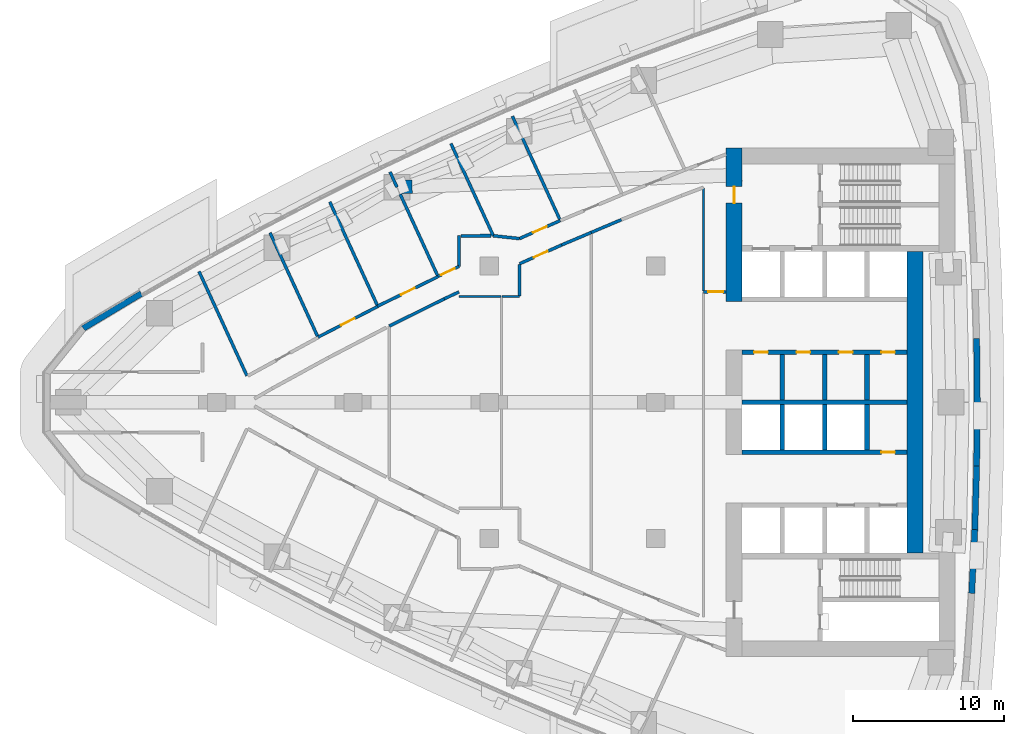
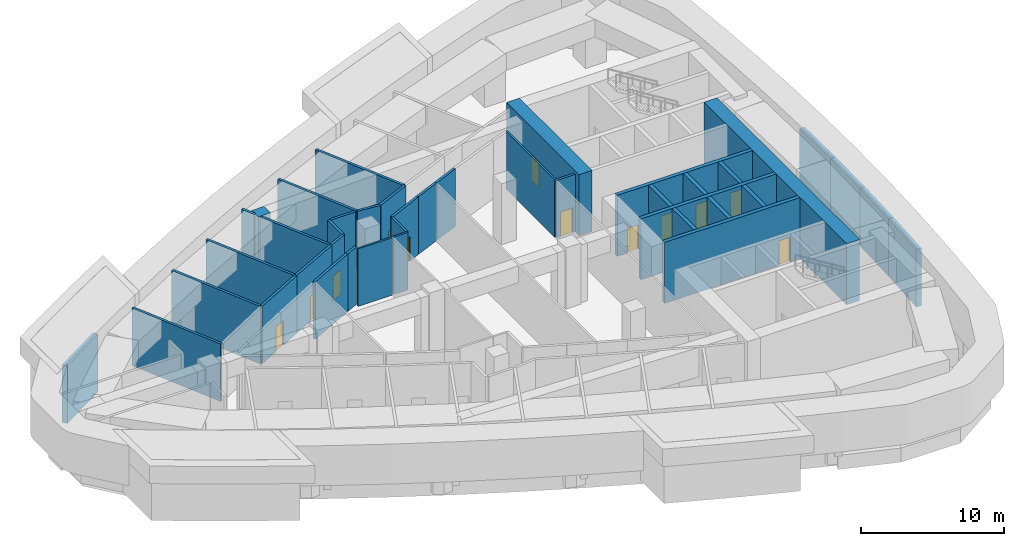
# One storey, part 12 of 19: 41 walls, 12 doors, 12 openings.
"""IFC4 building model written with IfcOpenShell, lengths in metres."""

from ifc_helpers import new_model, si_unit, direction, frame, frame_2d, origin, place, context, subcontext, project, spatial, polyline, rectangle, outline, extrude, material, layer, layer_set, type_object, element, fill, save


model = new_model("IFC4")

# Units and contexts
model_context = context("Model", 3, precision=1e-05, world=origin(), true_north=direction((0.0, 1.0)))
body_context = subcontext(model_context, "Body", "Model", "MODEL_VIEW")
ifc_project = project(units=[si_unit("LENGTHUNIT", "METRE"), si_unit("AREAUNIT", "SQUARE_METRE"), si_unit("VOLUMEUNIT", "CUBIC_METRE"), si_unit("PLANEANGLEUNIT", "RADIAN"), si_unit("MASSUNIT", "GRAM", prefix="KILO")], contexts=[model_context])

# Site, building, storey
site_placement = place(None, origin())
site = spatial("IfcSite", under=ifc_project, at=site_placement, CompositionType="ELEMENT")
building_placement = place(site_placement, origin())
building = spatial("IfcBuilding", under=site, at=building_placement, Name="Ostrand Prow Hotel Tower", CompositionType="ELEMENT")
storey_placement = place(building_placement, frame((0.0, 0.0, 120.39990234375)))
storey = spatial("IfcBuildingStorey", under=building, at=storey_placement, Name="L29", CompositionType="ELEMENT", Elevation=120.39990234375)

# Wall, opening, door
ifc_material_1 = material(Name="Concrete C80/95", Category="concrete")
ifc_layer_1 = layer(ifc_material_1, 1.050048828125)
ifc_layer_set_1 = layer_set([ifc_layer_1], Name="Concrete C80/95")
wall_type_1 = type_object("IfcWallType", Name="Core wall 1050 C80/95", PredefinedType="SHEAR", material=ifc_layer_set_1)
wall_1_placement = place(storey_placement, frame((50.175048828125, 6.64990234375, 0.0), z_axis=(0.0, 0.0, 1.0), x_axis=(0.0, 1.0, 0.0)))
wall_1 = element("IfcWall", 1, at=wall_1_placement, inside=storey, type_object=wall_type_1, Name="Core wall CW-W-N", PredefinedType="SHEAR", context=body_context, shape_type="SweptSolid", body=[
    extrude(rectangle(XDim=10.150146484375, YDim=1.050048828125, at=frame_2d((5.0751953125, 0.0))), origin(), (0.0, 0.0, 1.0), 5.2001953125),
])
opening_1_placement = place(wall_1_placement, frame((6.5, 0.0, 0.0)))
opening_1 = element("IfcOpeningElement", 2, at=opening_1_placement, cuts=wall_1, Name="Opening FD1", PredefinedType="OPENING", context=body_context, shape_type="SweptSolid", body=[
    extrude(rectangle(XDim=1.10009765625, YDim=2.10009765625, at=frame_2d((0.550048828125, 1.050048828125))), frame((0.0, 0.534912109375, 0.0), z_axis=(0.0, -1.0, 0.0), x_axis=(1.0, 0.0, 0.0)), (0.0, 0.0, 1.0), 1.070068359375),
])
ifc_material_2 = material(Name="Steel fire door", Category="steel")
door_type_1 = type_object("IfcDoorType", Name="Fire door 1100 EI120", OperationType="SINGLE_SWING_RIGHT", PredefinedType="DOOR", material=ifc_material_2)
door_1_placement = place(opening_1_placement, origin())
door_1 = element("IfcDoor", 3, at=door_1_placement, inside=storey, type_object=door_type_1, Name="FIRE DOOR", OperationType="SINGLE_SWING_RIGHT", OverallHeight=2.10009765625, OverallWidth=1.10009765625, PredefinedType="DOOR", context=body_context, shape_type="SweptSolid", body=[
    extrude(rectangle(XDim=1.10009765625, YDim=2.10009765625, at=frame_2d((0.550048828125, 1.050048828125))), frame((0.0, 0.02490234375, 0.0), z_axis=(0.0, -1.0, 0.0), x_axis=(1.0, 0.0, 0.0)), (0.0, 0.0, 1.0), 0.050048828125),
])
fill(opening_1, door_1)

# Walls
wall_2_placement = place(storey_placement, frame((62.125, -9.949951171875, 0.0), z_axis=(0.0, 0.0, 1.0), x_axis=(0.0, 1.0, 0.0)))
element("IfcWall", 4, at=wall_2_placement, inside=storey, type_object=wall_type_1, Name="Core wall CW-E-C", PredefinedType="SHEAR", context=body_context, shape_type="SweptSolid", body=[
    extrude(rectangle(XDim=19.89990234375, YDim=1.050048828125, at=frame_2d((9.949951171875, 0.0))), origin(), (0.0, 0.0, 1.0), 5.2001953125),
])
ifc_material_3 = material(Name="Concrete C80/95", Category="concrete")
ifc_layer_2 = layer(ifc_material_3, 0.300048828125)
ifc_layer_set_2 = layer_set([ifc_layer_2], Name="Concrete C80/95")
wall_type_2 = type_object("IfcWallType", Name="Core wall 300 C80/95", PredefinedType="SHEAR", material=ifc_layer_set_2)
wall_3_placement = place(storey_placement, frame((50.699951171875, 0.0, 0.0), z_axis=(0.0, 0.0, 1.0), x_axis=(1.0, 0.0, 0.0)))
element("IfcWall", 5, at=wall_3_placement, inside=storey, type_object=wall_type_2, Name="Core wall PW-C", PredefinedType="SHEAR", context=body_context, shape_type="SweptSolid", body=[
    extrude(rectangle(XDim=10.900146484375, YDim=0.300048828125, at=frame_2d((5.4501953125, 0.0))), origin(), (0.0, 0.0, 1.0), 5.2001953125),
])

# Wall, openings, doors
wall_4_placement = place(storey_placement, frame((50.699951171875, 3.300048828125, 0.0), z_axis=(0.0, 0.0, 1.0), x_axis=(1.0, 0.0, 0.0)))
wall_4 = element("IfcWall", 6, at=wall_4_placement, inside=storey, type_object=wall_type_2, Name="Core wall PW-L1-N", PredefinedType="SHEAR", context=body_context, shape_type="SweptSolid", body=[
    extrude(rectangle(XDim=10.900146484375, YDim=0.300048828125, at=frame_2d((5.4501953125, 0.0))), origin(), (0.0, 0.0, 1.0), 5.2001953125),
])
opening_2_placement = place(wall_4_placement, frame((0.800048828125, 0.0, 0.0)))
opening_2 = element("IfcOpeningElement", 7, at=opening_2_placement, cuts=wall_4, Name="Opening FD2", PredefinedType="OPENING", context=body_context, shape_type="SweptSolid", body=[
    extrude(rectangle(XDim=0.89990234375, YDim=2.10009765625, at=frame_2d((0.449951171875, 1.050048828125))), frame((0.0, 0.159912109375, 0.0), z_axis=(0.0, -1.0, 0.0), x_axis=(1.0, 0.0, 0.0)), (0.0, 0.0, 1.0), 0.320068359375),
])
opening_3_placement = place(wall_4_placement, frame((3.60009765625, 0.0, 0.0)))
opening_3 = element("IfcOpeningElement", 8, at=opening_3_placement, cuts=wall_4, Name="Opening FD2", PredefinedType="OPENING", context=body_context, shape_type="SweptSolid", body=[
    extrude(rectangle(XDim=0.89990234375, YDim=2.10009765625, at=frame_2d((0.449951171875, 1.050048828125))), frame((0.0, 0.159912109375, 0.0), z_axis=(0.0, -1.0, 0.0), x_axis=(1.0, 0.0, 0.0)), (0.0, 0.0, 1.0), 0.320068359375),
])
opening_4_placement = place(wall_4_placement, frame((6.39990234375, 0.0, 0.0)))
opening_4 = element("IfcOpeningElement", 9, at=opening_4_placement, cuts=wall_4, Name="Opening FD2", PredefinedType="OPENING", context=body_context, shape_type="SweptSolid", body=[
    extrude(rectangle(XDim=0.89990234375, YDim=2.10009765625, at=frame_2d((0.449951171875, 1.050048828125))), frame((0.0, 0.159912109375, 0.0), z_axis=(0.0, -1.0, 0.0), x_axis=(1.0, 0.0, 0.0)), (0.0, 0.0, 1.0), 0.320068359375),
])
opening_5_placement = place(wall_4_placement, frame((9.199951171875, 0.0, 0.0)))
opening_5 = element("IfcOpeningElement", 10, at=opening_5_placement, cuts=wall_4, Name="Opening FD2", PredefinedType="OPENING", context=body_context, shape_type="SweptSolid", body=[
    extrude(rectangle(XDim=0.89990234375, YDim=2.10009765625, at=frame_2d((0.449951171875, 1.050048828125))), frame((0.0, 0.159912109375, 0.0), z_axis=(0.0, -1.0, 0.0), x_axis=(1.0, 0.0, 0.0)), (0.0, 0.0, 1.0), 0.320068359375),
])
ifc_material_4 = material(Name="Steel fire door", Category="steel")
door_type_2 = type_object("IfcDoorType", Name="Fire door 900 EI120", OperationType="SINGLE_SWING_LEFT", PredefinedType="DOOR", material=ifc_material_4)
door_2_placement = place(opening_2_placement, origin())
door_2 = element("IfcDoor", 11, at=door_2_placement, inside=storey, type_object=door_type_2, Name="DOOR", OperationType="SINGLE_SWING_LEFT", OverallHeight=2.10009765625, OverallWidth=0.89990234375, PredefinedType="DOOR", context=body_context, shape_type="SweptSolid", body=[
    extrude(rectangle(XDim=0.89990234375, YDim=2.10009765625, at=frame_2d((0.449951171875, 1.050048828125))), frame((0.0, 0.02490234375, 0.0), z_axis=(0.0, -1.0, 0.0), x_axis=(1.0, 0.0, 0.0)), (0.0, 0.0, 1.0), 0.050048828125),
])
fill(opening_2, door_2)
door_3_placement = place(opening_3_placement, origin())
door_3 = element("IfcDoor", 12, at=door_3_placement, inside=storey, type_object=door_type_2, Name="DOOR", OperationType="SINGLE_SWING_LEFT", OverallHeight=2.10009765625, OverallWidth=0.89990234375, PredefinedType="DOOR", context=body_context, shape_type="SweptSolid", body=[
    extrude(rectangle(XDim=0.89990234375, YDim=2.10009765625, at=frame_2d((0.449951171875, 1.050048828125))), frame((0.0, 0.02490234375, 0.0), z_axis=(0.0, -1.0, 0.0), x_axis=(1.0, 0.0, 0.0)), (0.0, 0.0, 1.0), 0.050048828125),
])
fill(opening_3, door_3)
door_4_placement = place(opening_4_placement, origin())
door_4 = element("IfcDoor", 13, at=door_4_placement, inside=storey, type_object=door_type_2, Name="DOOR", OperationType="SINGLE_SWING_LEFT", OverallHeight=2.10009765625, OverallWidth=0.89990234375, PredefinedType="DOOR", context=body_context, shape_type="SweptSolid", body=[
    extrude(rectangle(XDim=0.89990234375, YDim=2.10009765625, at=frame_2d((0.449951171875, 1.050048828125))), frame((0.0, 0.02490234375, 0.0), z_axis=(0.0, -1.0, 0.0), x_axis=(1.0, 0.0, 0.0)), (0.0, 0.0, 1.0), 0.050048828125),
])
fill(opening_4, door_4)
door_5_placement = place(opening_5_placement, origin())
door_5 = element("IfcDoor", 14, at=door_5_placement, inside=storey, type_object=door_type_2, Name="DOOR", OperationType="SINGLE_SWING_LEFT", OverallHeight=2.10009765625, OverallWidth=0.89990234375, PredefinedType="DOOR", context=body_context, shape_type="SweptSolid", body=[
    extrude(rectangle(XDim=0.89990234375, YDim=2.10009765625, at=frame_2d((0.449951171875, 1.050048828125))), frame((0.0, 0.02490234375, 0.0), z_axis=(0.0, -1.0, 0.0), x_axis=(1.0, 0.0, 0.0)), (0.0, 0.0, 1.0), 0.050048828125),
])
fill(opening_5, door_5)

# Walls
for number, where, z_axis, x_axis, name in (
    (15, (53.35009765625, 0.14990234375, 0.0), (0.0, 0.0, 1.0), (0.0, 1.0, 0.0), "Core wall PW-R1-NB"),
    (16, (56.14990234375, 0.14990234375, 0.0), (0.0, 0.0, 1.0), (0.0, 1.0, 0.0), "Core wall PW-R2-NB"),
    (17, (58.949951171875, 0.14990234375, 0.0), (0.0, 0.0, 1.0), (0.0, 1.0, 0.0), "Core wall PW-R3-NB"),
):
    element("IfcWall", number, at=place(storey_placement, frame(where, z_axis=z_axis, x_axis=x_axis)), inside=storey, type_object=wall_type_2, Name=name, PredefinedType="SHEAR", context=body_context, shape_type="SweptSolid", body=[
        extrude(rectangle(XDim=3.0, YDim=0.300048828125, at=frame_2d((1.5, 0.0))), origin(), (0.0, 0.0, 1.0), 5.2001953125),
    ])

# Wall, opening, door
wall_5_placement = place(storey_placement, frame((50.699951171875, -3.300048828125, 0.0), z_axis=(0.0, 0.0, 1.0), x_axis=(1.0, 0.0, 0.0)))
wall_5 = element("IfcWall", 18, at=wall_5_placement, inside=storey, type_object=wall_type_2, Name="Core wall PW-L1-S", PredefinedType="SHEAR", context=body_context, shape_type="SweptSolid", body=[
    extrude(rectangle(XDim=10.900146484375, YDim=0.300048828125, at=frame_2d((5.4501953125, 0.0))), origin(), (0.0, 0.0, 1.0), 5.2001953125),
])
opening_6_placement = place(wall_5_placement, frame((9.199951171875, 0.0, 0.0)))
opening_6 = element("IfcOpeningElement", 19, at=opening_6_placement, cuts=wall_5, Name="Opening FD2", PredefinedType="OPENING", context=body_context, shape_type="SweptSolid", body=[
    extrude(rectangle(XDim=0.89990234375, YDim=2.10009765625, at=frame_2d((0.449951171875, 1.050048828125))), frame((0.0, 0.159912109375, 0.0), z_axis=(0.0, -1.0, 0.0), x_axis=(1.0, 0.0, 0.0)), (0.0, 0.0, 1.0), 0.320068359375),
])
door_6_placement = place(opening_6_placement, origin())
door_6 = element("IfcDoor", 20, at=door_6_placement, inside=storey, type_object=door_type_2, Name="DOOR", OperationType="SINGLE_SWING_LEFT", OverallHeight=2.10009765625, OverallWidth=0.89990234375, PredefinedType="DOOR", context=body_context, shape_type="SweptSolid", body=[
    extrude(rectangle(XDim=0.89990234375, YDim=2.10009765625, at=frame_2d((0.449951171875, 1.050048828125))), frame((0.0, 0.02490234375, 0.0), z_axis=(0.0, -1.0, 0.0), x_axis=(1.0, 0.0, 0.0)), (0.0, 0.0, 1.0), 0.050048828125),
])
fill(opening_6, door_6)

# Walls
for number, where, z_axis, x_axis, name in (
    (21, (53.35009765625, -3.14990234375, 0.0), (0.0, 0.0, 1.0), (0.0, 1.0, 0.0), "Core wall PW-R1-SB"),
    (22, (56.14990234375, -3.14990234375, 0.0), (0.0, 0.0, 1.0), (0.0, 1.0, 0.0), "Core wall PW-R2-SB"),
    (23, (58.949951171875, -3.14990234375, 0.0), (0.0, 0.0, 1.0), (0.0, 1.0, 0.0), "Core wall PW-R3-SB"),
):
    element("IfcWall", number, at=place(storey_placement, frame(where, z_axis=z_axis, x_axis=x_axis)), inside=storey, type_object=wall_type_2, Name=name, PredefinedType="SHEAR", context=body_context, shape_type="SweptSolid", body=[
        extrude(rectangle(XDim=3.0, YDim=0.300048828125, at=frame_2d((1.5, 0.0))), origin(), (0.0, 0.0, 1.0), 5.2001953125),
    ])
ifc_material_5 = material(Name="Concrete C80/95", Category="concrete")
ifc_layer_3 = layer(ifc_material_5, 0.89990234375)
ifc_layer_set_3 = layer_set([ifc_layer_3], Name="Concrete C80/95")
wall_type_3 = type_object("IfcWallType", Name="Outrigger wall 900 C80/95", PredefinedType="SHEAR", material=ifc_layer_set_3)
wall_6_placement = place(storey_placement, frame((28.906494140625, 14.247802734375, 0.0), z_axis=(0.0, 0.0, 1.0), x_axis=(-0.999364718751, -0.035639288944, 0.0)))
element("IfcWall", 24, at=wall_6_placement, inside=storey, type_object=wall_type_3, Name="Outrigger wall DN2", PredefinedType="SHEAR", context=body_context, shape_type="SweptSolid", body=[
    extrude(rectangle(XDim=1.000244140625, YDim=0.89990234375, at=frame_2d((0.5, 0.0))), origin(), (0.0, 0.0, 1.0), 4.900146484375),
])
ifc_material_6 = material(Name="Plasterboard partition")
ifc_layer_4 = layer(ifc_material_6, 0.14990234375)
ifc_layer_set_4 = layer_set([ifc_layer_4], Name="Plasterboard partition")
wall_type_4 = type_object("IfcWallType", Name="Partition 150 room partition", PredefinedType="PARTITIONING", material=ifc_layer_set_4)
wall_7_placement = place(storey_placement, frame((31.99951171875, 6.9951171875, 0.0), z_axis=(0.0, 0.0, 1.0), x_axis=(1.0, 0.0, 0.0)))
element("IfcWall", 25, at=wall_7_placement, inside=storey, type_object=wall_type_4, Name="ROOM PARTITION", PredefinedType="PARTITIONING", context=body_context, shape_type="SweptSolid", body=[
    extrude(rectangle(XDim=2.76806640625, YDim=0.14990234375, at=frame_2d((1.384033203125, 0.0))), origin(), (0.0, 0.0, 1.0), 4.900146484375),
])
wall_8_placement = place(storey_placement, frame((34.847412109375, 6.9951171875, 0.0), z_axis=(0.0, 0.0, 1.0), x_axis=(0.999997773641, 0.002110145123, 0.0)))
element("IfcWall", 26, at=wall_8_placement, inside=storey, type_object=wall_type_4, Name="ROOM PARTITION", PredefinedType="PARTITIONING", context=body_context, shape_type="SweptSolid", body=[
    extrude(rectangle(XDim=1.156982421875, YDim=0.14990234375, at=frame_2d((0.57861328125, 0.0))), origin(), (0.0, 0.0, 1.0), 4.900146484375),
])
wall_9_placement = place(storey_placement, frame((48.1494140625, 14.151123046875, 0.0), z_axis=(0.0, 0.0, 1.0), x_axis=(0.0, -1.0, 0.0)))
element("IfcWall", 27, at=wall_9_placement, inside=storey, type_object=wall_type_4, Name="ROOM PARTITION", PredefinedType="PARTITIONING", context=body_context, shape_type="SweptSolid", body=[
    extrude(rectangle(XDim=6.81103515625, YDim=0.14990234375, at=frame_2d((3.405517578125, 0.0))), origin(), (0.0, 0.0, 1.0), 4.900146484375),
])

# Wall, opening, door
ifc_material_7 = material(Name="Plasterboard partition")
ifc_layer_5 = layer(ifc_material_7, 0.199951171875)
ifc_layer_set_5 = layer_set([ifc_layer_5], Name="Plasterboard partition")
wall_type_5 = type_object("IfcWallType", Name="Partition 200 corridor wall", PredefinedType="PARTITIONING", material=ifc_layer_set_5)
wall_10_placement = place(storey_placement, frame((22.6904296875, 4.302490234375, 0.0), z_axis=(0.0, 0.0, 1.0), x_axis=(0.889236075961, 0.457448577667, 0.0)))
wall_10 = element("IfcWall", 28, at=wall_10_placement, inside=storey, type_object=wall_type_5, Name="CORRIDOR WALL", PredefinedType="PARTITIONING", context=body_context, shape_type="SweptSolid", body=[
    extrude(rectangle(XDim=4.443115234375, YDim=0.199951171875, at=frame_2d((2.2216796875, 0.0))), origin(), (0.0, 0.0, 1.0), 4.900146484375),
])
opening_7_placement = place(wall_10_placement, frame((1.721435546875, 0.0, 0.0)))
opening_7 = element("IfcOpeningElement", 29, at=opening_7_placement, cuts=wall_10, Name="Opening D1R", PredefinedType="OPENING", context=body_context, shape_type="SweptSolid", body=[
    extrude(rectangle(XDim=1.0, YDim=2.10009765625, at=frame_2d((0.5, 1.050048828125))), frame((0.0, 0.10986328125, 0.0), z_axis=(0.0, -1.0, 0.0), x_axis=(1.0, 0.0, 0.0)), (0.0, 0.0, 1.0), 0.219970703125),
])
ifc_material_8 = material(Name="Timber door leaf", Category="wood")
door_type_3 = type_object("IfcDoorType", Name="Guest room door 1000 right", OperationType="SINGLE_SWING_RIGHT", PredefinedType="DOOR", material=ifc_material_8)
door_7_placement = place(opening_7_placement, origin())
door_7 = element("IfcDoor", 30, at=door_7_placement, inside=storey, type_object=door_type_3, Name="DOOR", OperationType="SINGLE_SWING_RIGHT", OverallHeight=2.10009765625, OverallWidth=1.0, PredefinedType="DOOR", context=body_context, shape_type="SweptSolid", body=[
    extrude(rectangle(XDim=1.0, YDim=2.10009765625, at=frame_2d((0.5, 1.050048828125))), frame((0.0, 0.02490234375, 0.0), z_axis=(0.0, -1.0, 0.0), x_axis=(1.0, 0.0, 0.0)), (0.0, 0.0, 1.0), 0.050048828125),
])
fill(opening_7, door_7)

wall_11_placement = place(storey_placement, frame((26.6328125, 6.35302734375, 0.0), z_axis=(0.0, 0.0, 1.0), x_axis=(0.898502457097, 0.438968489291, 0.0)))
wall_11 = element("IfcWall", 31, at=wall_11_placement, inside=storey, type_object=wall_type_5, Name="CORRIDOR WALL", PredefinedType="PARTITIONING", context=body_context, shape_type="SweptSolid", body=[
    extrude(rectangle(XDim=4.43994140625, YDim=0.199951171875, at=frame_2d((2.219970703125, 0.0))), origin(), (0.0, 0.0, 1.0), 4.900146484375),
])
opening_8_placement = place(wall_11_placement, frame((1.719970703125, 0.0, 0.0)))
opening_8 = element("IfcOpeningElement", 32, at=opening_8_placement, cuts=wall_11, Name="Opening D1", PredefinedType="OPENING", context=body_context, shape_type="SweptSolid", body=[
    extrude(rectangle(XDim=1.0, YDim=2.10009765625, at=frame_2d((0.5, 1.050048828125))), frame((0.0, 0.10986328125, 0.0), z_axis=(0.0, -1.0, 0.0), x_axis=(1.0, 0.0, 0.0)), (0.0, 0.0, 1.0), 0.219970703125),
])
ifc_material_9 = material(Name="Timber door leaf", Category="wood")
door_type_4 = type_object("IfcDoorType", Name="Guest room door 1000", OperationType="SINGLE_SWING_LEFT", PredefinedType="DOOR", material=ifc_material_9)
door_8_placement = place(opening_8_placement, origin())
door_8 = element("IfcDoor", 33, at=door_8_placement, inside=storey, type_object=door_type_4, Name="DOOR", OperationType="SINGLE_SWING_LEFT", OverallHeight=2.10009765625, OverallWidth=1.0, PredefinedType="DOOR", context=body_context, shape_type="SweptSolid", body=[
    extrude(rectangle(XDim=1.0, YDim=2.10009765625, at=frame_2d((0.5, 1.050048828125))), frame((0.0, 0.02490234375, 0.0), z_axis=(0.0, -1.0, 0.0), x_axis=(1.0, 0.0, 0.0)), (0.0, 0.0, 1.0), 0.050048828125),
])
fill(opening_8, door_8)

wall_12_placement = place(storey_placement, frame((32.0, 8.972900390625, 0.0), z_axis=(0.0, 0.0, 1.0), x_axis=(-0.904695891996, -0.42605791039, 0.0)))
wall_12 = element("IfcWall", 34, at=wall_12_placement, inside=storey, type_object=wall_type_5, Name="CORRIDOR WALL", PredefinedType="PARTITIONING", context=body_context, shape_type="SweptSolid", body=[
    extrude(rectangle(XDim=1.5322265625, YDim=0.199951171875, at=frame_2d((0.76611328125, 0.0))), origin(), (0.0, 0.0, 1.0), 4.900146484375),
])
opening_9_placement = place(wall_12_placement, frame((0.300048828125, 0.0, 0.0)))
opening_9 = element("IfcOpeningElement", 35, at=opening_9_placement, cuts=wall_12, Name="Opening D1R", PredefinedType="OPENING", context=body_context, shape_type="SweptSolid", body=[
    extrude(rectangle(XDim=1.0, YDim=2.10009765625, at=frame_2d((0.5, 1.050048828125))), frame((0.0, 0.10986328125, 0.0), z_axis=(0.0, -1.0, 0.0), x_axis=(1.0, 0.0, 0.0)), (0.0, 0.0, 1.0), 0.219970703125),
])
door_9_placement = place(opening_9_placement, origin())
door_9 = element("IfcDoor", 36, at=door_9_placement, inside=storey, type_object=door_type_3, Name="DOOR", OperationType="SINGLE_SWING_RIGHT", OverallHeight=2.10009765625, OverallWidth=1.0, PredefinedType="DOOR", context=body_context, shape_type="SweptSolid", body=[
    extrude(rectangle(XDim=1.0, YDim=2.10009765625, at=frame_2d((0.5, 1.050048828125))), frame((0.0, 0.02490234375, 0.0), z_axis=(0.0, -1.0, 0.0), x_axis=(1.0, 0.0, 0.0)), (0.0, 0.0, 1.0), 0.050048828125),
])
fill(opening_9, door_9)

wall_13_placement = place(storey_placement, frame((38.696044921875, 12.0068359375, 0.0), z_axis=(0.0, 0.0, 1.0), x_axis=(-0.914578343518, -0.404408770389, 0.0)))
wall_13 = element("IfcWall", 37, at=wall_13_placement, inside=storey, type_object=wall_type_5, Name="CORRIDOR WALL", PredefinedType="PARTITIONING", context=body_context, shape_type="SweptSolid", body=[
    extrude(rectangle(XDim=2.94775390625, YDim=0.199951171875, at=frame_2d((1.473876953125, 0.0))), origin(), (0.0, 0.0, 1.0), 4.900146484375),
])
opening_10_placement = place(wall_13_placement, frame((0.97412109375, 0.0, 0.0)))
opening_10 = element("IfcOpeningElement", 38, at=opening_10_placement, cuts=wall_13, Name="Opening D1", PredefinedType="OPENING", context=body_context, shape_type="SweptSolid", body=[
    extrude(rectangle(XDim=1.0, YDim=2.10009765625, at=frame_2d((0.5, 1.050048828125))), frame((0.0, 0.10986328125, 0.0), z_axis=(0.0, -1.0, 0.0), x_axis=(1.0, 0.0, 0.0)), (0.0, 0.0, 1.0), 0.219970703125),
])
door_10_placement = place(opening_10_placement, origin())
door_10 = element("IfcDoor", 39, at=door_10_placement, inside=storey, type_object=door_type_4, Name="DOOR", OperationType="SINGLE_SWING_LEFT", OverallHeight=2.10009765625, OverallWidth=1.0, PredefinedType="DOOR", context=body_context, shape_type="SweptSolid", body=[
    extrude(rectangle(XDim=1.0, YDim=2.10009765625, at=frame_2d((0.5, 1.050048828125))), frame((0.0, 0.02490234375, 0.0), z_axis=(0.0, -1.0, 0.0), x_axis=(1.0, 0.0, 0.0)), (0.0, 0.0, 1.0), 0.050048828125),
])
fill(opening_10, door_10)

# Walls
wall_14_placement = place(storey_placement, frame((27.39501953125, 5.0341796875, 0.0), z_axis=(0.0, 0.0, 1.0), x_axis=(0.895964557897, 0.444125557688, 0.0)))
element("IfcWall", 40, at=wall_14_placement, inside=storey, type_object=wall_type_5, Name="CORRIDOR WALL", PredefinedType="PARTITIONING", context=body_context, shape_type="SweptSolid", body=[
    extrude(rectangle(XDim=4.05126953125, YDim=0.199951171875, at=frame_2d((2.025634765625, 0.0))), origin(), (0.0, 0.0, 1.0), 4.900146484375),
])
wall_15_placement = place(storey_placement, frame((31.02490234375, 6.83349609375, 0.0), z_axis=(0.0, 0.0, 1.0), x_axis=(0.904690325494, 0.426069730159, 0.0)))
element("IfcWall", 41, at=wall_15_placement, inside=storey, type_object=wall_type_5, Name="CORRIDOR WALL", PredefinedType="PARTITIONING", context=body_context, shape_type="SweptSolid", body=[
    extrude(rectangle(XDim=1.077880859375, YDim=0.199951171875, at=frame_2d((0.5390625, 0.0))), origin(), (0.0, 0.0, 1.0), 4.900146484375),
])

# Wall, opening, door
wall_16_placement = place(storey_placement, frame((36.0, 9.14990234375, 0.0), z_axis=(0.0, 0.0, 1.0), x_axis=(0.913029587861, 0.407893333716, 0.0)))
wall_16 = element("IfcWall", 42, at=wall_16_placement, inside=storey, type_object=wall_type_5, Name="CORRIDOR WALL", PredefinedType="PARTITIONING", context=body_context, shape_type="SweptSolid", body=[
    extrude(rectangle(XDim=3.057861328125, YDim=0.199951171875, at=frame_2d((1.52880859375, 0.0))), origin(), (0.0, 0.0, 1.0), 4.900146484375),
])
opening_11_placement = place(wall_16_placement, frame((1.029052734375, 0.0, 0.0)))
opening_11 = element("IfcOpeningElement", 43, at=opening_11_placement, cuts=wall_16, Name="Opening D1R", PredefinedType="OPENING", context=body_context, shape_type="SweptSolid", body=[
    extrude(rectangle(XDim=1.0, YDim=2.10009765625, at=frame_2d((0.5, 1.050048828125))), frame((0.0, 0.10986328125, 0.0), z_axis=(0.0, -1.0, 0.0), x_axis=(1.0, 0.0, 0.0)), (0.0, 0.0, 1.0), 0.219970703125),
])
door_11_placement = place(opening_11_placement, origin())
door_11 = element("IfcDoor", 44, at=door_11_placement, inside=storey, type_object=door_type_3, Name="DOOR", OperationType="SINGLE_SWING_RIGHT", OverallHeight=2.10009765625, OverallWidth=1.0, PredefinedType="DOOR", context=body_context, shape_type="SweptSolid", body=[
    extrude(rectangle(XDim=1.0, YDim=2.10009765625, at=frame_2d((0.5, 1.050048828125))), frame((0.0, 0.02490234375, 0.0), z_axis=(0.0, -1.0, 0.0), x_axis=(1.0, 0.0, 0.0)), (0.0, 0.0, 1.0), 0.050048828125),
])
fill(opening_11, door_11)

# Walls
wall_17_placement = place(storey_placement, frame((38.7919921875, 10.397216796875, 0.0), z_axis=(0.0, 0.0, 1.0), x_axis=(0.921070908478, 0.389394891538, 0.0)))
element("IfcWall", 45, at=wall_17_placement, inside=storey, type_object=wall_type_5, Name="CORRIDOR WALL", PredefinedType="PARTITIONING", context=body_context, shape_type="SweptSolid", body=[
    extrude(rectangle(XDim=2.1123046875, YDim=0.199951171875, at=frame_2d((1.05615234375, 0.0))), origin(), (0.0, 0.0, 1.0), 4.900146484375),
])
wall_18_placement = place(storey_placement, frame((40.737548828125, 11.2197265625, 0.0), z_axis=(0.0, 0.0, 1.0), x_axis=(0.921004670223, 0.389551533725, 0.0)))
element("IfcWall", 46, at=wall_18_placement, inside=storey, type_object=wall_type_5, Name="CORRIDOR WALL", PredefinedType="PARTITIONING", context=body_context, shape_type="SweptSolid", body=[
    extrude(rectangle(XDim=2.160888671875, YDim=0.199951171875, at=frame_2d((1.08056640625, 0.0))), origin(), (0.0, 0.0, 1.0), 4.900146484375),
])
wall_19_placement = place(storey_placement, frame((36.00439453125, 7.03759765625, 0.0), z_axis=(0.0, 0.0, 1.0), x_axis=(0.000235599004, 0.999999972247, 0.0)))
element("IfcWall", 47, at=wall_19_placement, inside=storey, type_object=wall_type_5, Name="CORRIDOR WALL", PredefinedType="PARTITIONING", context=body_context, shape_type="SweptSolid", body=[
    extrude(rectangle(XDim=2.072509765625, YDim=0.199951171875, at=frame_2d((1.0361328125, 0.0))), origin(), (0.0, 0.0, 1.0), 4.900146484375),
])
wall_20_placement = place(storey_placement, frame((31.996826171875, 11.00390625, 0.0), z_axis=(0.0, 0.0, 1.0), x_axis=(0.001562685915, -0.999998779006, 0.0)))
element("IfcWall", 48, at=wall_20_placement, inside=storey, type_object=wall_type_5, Name="CORRIDOR WALL", PredefinedType="PARTITIONING", context=body_context, shape_type="SweptSolid", body=[
    extrude(rectangle(XDim=2.031005859375, YDim=0.199951171875, at=frame_2d((1.015625, 0.0))), origin(), (0.0, 0.0, 1.0), 4.900146484375),
])
wall_21_placement = place(storey_placement, frame((36.0, 10.814697265625, 0.0), z_axis=(0.0, 0.0, 1.0), x_axis=(-0.99430915392, 0.106533123634, 0.0)))
element("IfcWall", 49, at=wall_21_placement, inside=storey, type_object=wall_type_5, Name="CORRIDOR WALL", PredefinedType="PARTITIONING", context=body_context, shape_type="SweptSolid", body=[
    extrude(rectangle(XDim=1.739501953125, YDim=0.199951171875, at=frame_2d((0.86962890625, 0.0))), origin(), (0.0, 0.0, 1.0), 4.900146484375),
])
ifc_material_10 = material(Name="Plasterboard partition")
ifc_layer_6 = layer(ifc_material_10, 0.199951171875)
ifc_layer_set_6 = layer_set([ifc_layer_6], Name="Plasterboard partition")
wall_type_6 = type_object("IfcWallType", Name="Partition 200 key partition", PredefinedType="PARTITIONING", material=ifc_layer_set_6)
wall_22_placement = place(storey_placement, frame((14.8359375, 8.6376953125, 0.0), z_axis=(0.0, 0.0, 1.0), x_axis=(0.417439791711, -0.908704583622, 0.0)))
element("IfcWall", 50, at=wall_22_placement, inside=storey, type_object=wall_type_6, Name="KEY PARTITION", PredefinedType="PARTITIONING", context=body_context, shape_type="SweptSolid", body=[
    extrude(rectangle(XDim=7.57958984375, YDim=0.199951171875, at=frame_2d((3.789794921875, 0.0))), origin(), (0.0, 0.0, 1.0), 4.900146484375),
])
wall_23_placement = place(storey_placement, frame((22.69873046875, 4.284423828125, 0.0), z_axis=(0.0, 0.0, 1.0), x_axis=(-0.417413534969, 0.908716644959, 0.0)))
element("IfcWall", 51, at=wall_23_placement, inside=storey, type_object=wall_type_6, Name="KEY PARTITION", PredefinedType="PARTITIONING", context=body_context, shape_type="SweptSolid", body=[
    extrude(rectangle(XDim=7.609375, YDim=0.199951171875, at=frame_2d((3.8046875, 0.0))), origin(), (0.0, 0.0, 1.0), 4.900146484375),
])
wall_24_placement = place(storey_placement, frame((26.641357421875, 6.3349609375, 0.0), z_axis=(0.0, 0.0, 1.0), x_axis=(-0.417455028008, 0.908697584233, 0.0)))
element("IfcWall", 52, at=wall_24_placement, inside=storey, type_object=wall_type_6, Name="KEY PARTITION", PredefinedType="PARTITIONING", context=body_context, shape_type="SweptSolid", body=[
    extrude(rectangle(XDim=7.603271484375, YDim=0.199951171875, at=frame_2d((3.8017578125, 0.0))), origin(), (0.0, 0.0, 1.0), 4.900146484375),
])
wall_25_placement = place(storey_placement, frame((30.6220703125, 8.302001953125, 0.0), z_axis=(0.0, 0.0, 1.0), x_axis=(-0.417444024809, 0.908702639014, 0.0)))
element("IfcWall", 53, at=wall_25_placement, inside=storey, type_object=wall_type_6, Name="KEY PARTITION", PredefinedType="PARTITIONING", context=body_context, shape_type="SweptSolid", body=[
    extrude(rectangle(XDim=6.016357421875, YDim=0.199951171875, at=frame_2d((3.00830078125, 0.0))), origin(), (0.0, 0.0, 1.0), 4.900146484375),
])
wall_26_placement = place(storey_placement, frame((27.906982421875, 14.212158203125, 0.0), z_axis=(0.0, 0.0, 1.0), x_axis=(-0.417306356055, 0.908765869295, 0.0)))
element("IfcWall", 54, at=wall_26_placement, inside=storey, type_object=wall_type_6, Name="KEY PARTITION", PredefinedType="PARTITIONING", context=body_context, shape_type="SweptSolid", body=[
    extrude(rectangle(XDim=1.096435546875, YDim=0.199951171875, at=frame_2d((0.54833984375, 0.0))), origin(), (0.0, 0.0, 1.0), 4.900146484375),
])
wall_27_placement = place(storey_placement, frame((34.2705078125, 11.0, 0.0), z_axis=(0.0, 0.0, 1.0), x_axis=(-0.417420546123, 0.908713424394, 0.0)))
element("IfcWall", 55, at=wall_27_placement, inside=storey, type_object=wall_type_6, Name="KEY PARTITION", PredefinedType="PARTITIONING", context=body_context, shape_type="SweptSolid", body=[
    extrude(rectangle(XDim=6.70556640625, YDim=0.199951171875, at=frame_2d((3.352783203125, 0.0))), origin(), (0.0, 0.0, 1.0), 4.900146484375),
])
wall_28_placement = place(storey_placement, frame((38.704345703125, 11.988525390625, 0.0), z_axis=(0.0, 0.0, 1.0), x_axis=(-0.417416334044, 0.908715359215, 0.0)))
element("IfcWall", 56, at=wall_28_placement, inside=storey, type_object=wall_type_6, Name="KEY PARTITION", PredefinedType="PARTITIONING", context=body_context, shape_type="SweptSolid", body=[
    extrude(rectangle(XDim=7.603515625, YDim=0.199951171875, at=frame_2d((3.8017578125, 0.0))), origin(), (0.0, 0.0, 1.0), 4.900146484375),
])
wall_29_placement = place(storey_placement, frame((32.146728515625, 11.000244140625, 0.0), z_axis=(0.0, 0.0, 1.0), x_axis=(0.999999222255, 0.001247192844, 0.0)))
element("IfcWall", 57, at=wall_29_placement, inside=storey, type_object=wall_type_6, Name="KEY PARTITION", PredefinedType="PARTITIONING", context=body_context, shape_type="SweptSolid", body=[
    extrude(rectangle(XDim=1.95751953125, YDim=0.199951171875, at=frame_2d((0.978759765625, 0.0))), origin(), (0.0, 0.0, 1.0), 4.900146484375),
])

# Wall, opening, door
ifc_material_11 = material(Name="Plasterboard partition")
ifc_layer_7 = layer(ifc_material_11, 0.199951171875)
ifc_layer_set_7 = layer_set([ifc_layer_7], Name="Plasterboard partition")
wall_type_7 = type_object("IfcWallType", Name="Partition 200 refuge wall", PredefinedType="PARTITIONING", material=ifc_layer_set_7)
wall_30_placement = place(storey_placement, frame((48.14990234375, 7.300048828125, 0.0), z_axis=(0.0, 0.0, 1.0), x_axis=(1.0, 0.0, 0.0)))
wall_30 = element("IfcWall", 58, at=wall_30_placement, inside=storey, type_object=wall_type_7, Name="REFUGE WALL", PredefinedType="PARTITIONING", context=body_context, shape_type="SweptSolid", body=[
    extrude(rectangle(XDim=1.5, YDim=0.199951171875, at=frame_2d((0.75, 0.0))), origin(), (0.0, 0.0, 1.0), 4.900146484375),
])
opening_12_placement = place(wall_30_placement, frame((0.300048828125, 0.0, 0.0)))
opening_12 = element("IfcOpeningElement", 59, at=opening_12_placement, cuts=wall_30, Name="Opening D1R", PredefinedType="OPENING", context=body_context, shape_type="SweptSolid", body=[
    extrude(rectangle(XDim=1.0, YDim=2.10009765625, at=frame_2d((0.5, 1.050048828125))), frame((0.0, 0.10986328125, 0.0), z_axis=(0.0, -1.0, 0.0), x_axis=(1.0, 0.0, 0.0)), (0.0, 0.0, 1.0), 0.219970703125),
])
door_12_placement = place(opening_12_placement, origin())
door_12 = element("IfcDoor", 60, at=door_12_placement, inside=storey, type_object=door_type_3, Name="DOOR", OperationType="SINGLE_SWING_RIGHT", OverallHeight=2.10009765625, OverallWidth=1.0, PredefinedType="DOOR", context=body_context, shape_type="SweptSolid", body=[
    extrude(rectangle(XDim=1.0, YDim=2.10009765625, at=frame_2d((0.5, 1.050048828125))), frame((0.0, 0.02490234375, 0.0), z_axis=(0.0, -1.0, 0.0), x_axis=(1.0, 0.0, 0.0)), (0.0, 0.0, 1.0), 0.050048828125),
])
fill(opening_12, door_12)

# Walls
ifc_material_12 = material(Name="Precast concrete C40/50", Category="concrete")
ifc_layer_8 = layer(ifc_material_12, 0.39990234375)
ifc_layer_set_8 = layer_set([ifc_layer_8], Name="Precast concrete C40/50")
wall_type_8 = type_object("IfcWallType", Name="Stone-faced precast wall 400 mm", PredefinedType="NOTDEFINED", material=ifc_layer_set_8)
wall_31_placement = place(storey_placement, frame((11.02587890625, 7.18603515625, 0.0), z_axis=(0.0, 0.0, 1.0), x_axis=(-0.857550776474, -0.514399325202, 0.0)))
element("IfcWall", 61, at=wall_31_placement, inside=storey, type_object=wall_type_8, Name="Stone-faced wall prow 1", PredefinedType="NOTDEFINED", context=body_context, shape_type="SweptSolid", body=[
    extrude(outline(polyline([(0.0, -0.199951171875), (4.50341796875, -0.199951171875), (4.4326171875, 0.199951171875), (0.0, 0.199951171875), (0.0, -0.199951171875)])), origin(), (0.0, 0.0, 1.0), 4.900146484375),
])
for number, where, z_axis, x_axis, name in (
    (62, (65.8681640625, -12.613525390625, 0.0), (0.0, 0.0, 1.0), (0.048342691508, 0.998830808585, 0.0), "Stone-faced wall back 7"),
    (63, (66.071533203125, -8.41162109375, 0.0), (0.0, 0.0, 1.0), (0.02901703777, 0.999578917104, 0.0), "Stone-faced wall back 8"),
    (64, (66.193603515625, -4.20654296875, 0.0), (0.0, 0.0, 1.0), (0.00969194175, 0.99995303203, 0.0), "Stone-faced wall back 9"),
    (65, (66.234375, 0.0, 0.0), (0.0, 0.0, 1.0), (-0.00969194175, 0.99995303203, 0.0), "Stone-faced wall back 10"),
):
    element("IfcWall", number, at=place(storey_placement, frame(where, z_axis=z_axis, x_axis=x_axis)), inside=storey, type_object=wall_type_8, Name=name, PredefinedType="NOTDEFINED", context=body_context, shape_type="SweptSolid", body=[
        extrude(outline(polyline([(-0.001953125, -0.199951171875), (4.208740234375, -0.199951171875), (4.204833984375, 0.199951171875), (0.001953125, 0.199951171875), (-0.001953125, -0.199951171875)])), origin(), (0.0, 0.0, 1.0), 4.900146484375),
    ])

save(model, "model.ifc")
